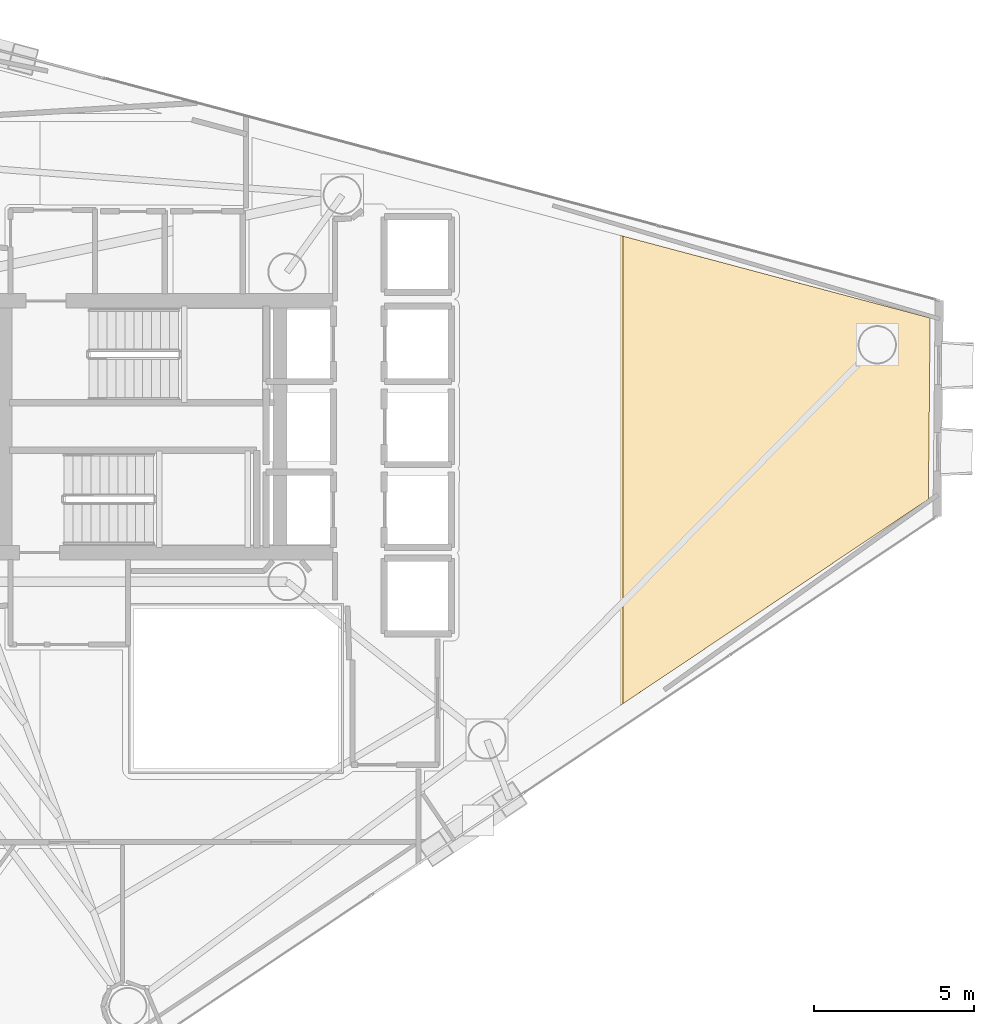
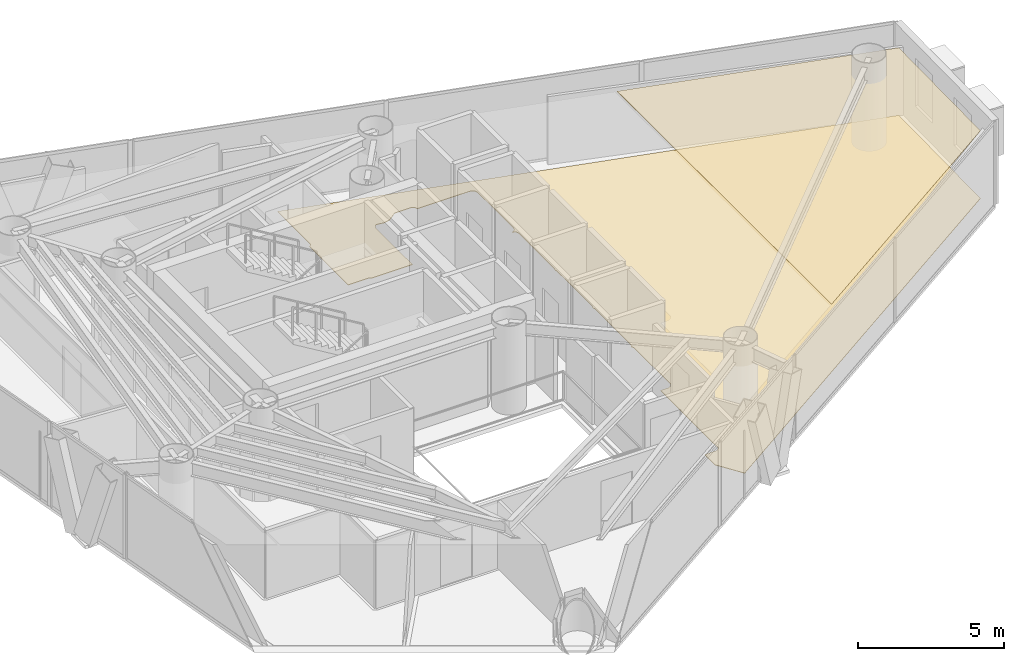
# One storey, part 21 of 21: 2 coverings.
"""IFC4 building model written with IfcOpenShell, lengths in metres."""

from ifc_helpers import new_model, si_unit, direction, frame, origin, place, context, subcontext, project, spatial, polyline, outline, extrude, material, layer, layer_set, type_object, element, save


model = new_model("IFC4")

# Units and contexts
model_context = context("Model", 3, precision=1e-05, world=origin(), true_north=direction((0.0, 1.0)))
body_context = subcontext(model_context, "Body", "Model", "MODEL_VIEW")
ifc_project = project(units=[si_unit("LENGTHUNIT", "METRE"), si_unit("AREAUNIT", "SQUARE_METRE"), si_unit("VOLUMEUNIT", "CUBIC_METRE"), si_unit("PLANEANGLEUNIT", "RADIAN"), si_unit("MASSUNIT", "GRAM", prefix="KILO")], contexts=[model_context])

# Site, building, storey
site_placement = place(None, origin())
site = spatial("IfcSite", under=ifc_project, at=site_placement, CompositionType="ELEMENT")
building_placement = place(site_placement, origin())
building = spatial("IfcBuilding", under=site, at=building_placement, Name="Qianvela Tower", CompositionType="ELEMENT")
storey_placement = place(building_placement, frame((0.0, 0.0, 189.199951171875)))
storey = spatial("IfcBuildingStorey", under=building, at=storey_placement, Name="L48", CompositionType="ELEMENT", Elevation=189.199951171875)

# Coverings
ifc_material_1 = material(Name="Perforated Mineral Acoustic Ceiling Tile")
ifc_layer_1 = layer(ifc_material_1, 0.02490234375)
ifc_layer_set_1 = layer_set([ifc_layer_1], Name="Perforated Mineral Acoustic Ceiling Tile")
covering_type_1 = type_object("IfcCoveringType", Name="COV-CEIL-ACOUSTIC-25", PredefinedType="CEILING", material=ifc_layer_set_1)
covering_1_placement = place(storey_placement, frame((0.0, 0.0, 2.81494140625)))
element("IfcCovering", 1, at=covering_1_placement, inside=storey, type_object=covering_type_1, Name="L48 Acoustic Ceiling Bay 2 Student Bookshop Market L48-04", PredefinedType="CEILING", context=body_context, shape_type="SweptSolid", body=[
    extrude(outline(polyline([(58.55615234375, 32.109375), (58.49853515625, 26.42919921875), (48.925048828125, 20.022216796875), (48.925048828125, 34.67431640625), (58.55615234375, 32.109375)])), origin(), (0.0, 0.0, 1.0), 0.025146484375),
])
ifc_material_2 = material(Name="Engineered Acoustic Oak Timber Flooring", Category="wood")
ifc_layer_2 = layer(ifc_material_2, 0.02001953125)
ifc_layer_set_2 = layer_set([ifc_layer_2], Name="Engineered Acoustic Oak Timber Flooring")
covering_type_2 = type_object("IfcCoveringType", Name="COV-FLOOR-OAK-20", PredefinedType="FLOORING", material=ifc_layer_set_2)
covering_2_placement = place(storey_placement, origin())
element("IfcCovering", 2, at=covering_2_placement, inside=storey, type_object=covering_type_2, Name="L48 Finish Flooring Student Bookshop Market L48-04", PredefinedType="FLOORING", context=body_context, shape_type="SweptSolid", body=[
    extrude(outline(polyline([(43.640380859375, 32.699951171875), (43.722412109375, 32.739013671875), (43.729248046875, 32.74267578125), (43.73583984375, 32.746826171875), (43.741943359375, 32.751953125), (43.74755859375, 32.757568359375), (43.75244140625, 32.763427734375), (43.7568359375, 32.77001953125), (43.760498046875, 32.777099609375), (43.763427734375, 32.7841796875), (43.79541015625, 32.873046875), (43.7978515625, 32.8818359375), (43.799560546875, 32.890869140625), (43.800048828125, 32.89990234375), (43.800048828125, 35.300048828125), (43.799560546875, 35.30908203125), (43.7978515625, 35.318115234375), (43.79541015625, 35.326904296875), (43.763427734375, 35.415771484375), (43.760498046875, 35.423095703125), (43.7568359375, 35.429931640625), (43.75244140625, 35.4365234375), (43.74755859375, 35.4423828125), (43.741943359375, 35.447998046875), (43.73583984375, 35.453125), (43.729248046875, 35.45751953125), (43.722412109375, 35.461181640625), (43.6142578125, 35.51220703125), (43.607666015625, 35.51513671875), (43.60107421875, 35.51708984375), (43.593994140625, 35.518798828125), (43.587158203125, 35.519775390625), (43.580078125, 35.52001953125), (41.515625, 35.52001953125), (41.513916015625, 35.554931640625), (41.512939453125, 35.563232421875), (41.51123046875, 35.5712890625), (41.508544921875, 35.5791015625), (41.50537109375, 35.5869140625), (41.501220703125, 35.593994140625), (41.496337890625, 35.6005859375), (41.49072265625, 35.60693359375), (41.484619140625, 35.612548828125), (41.426513671875, 35.660400390625), (41.420166015625, 35.6650390625), (41.413330078125, 35.6689453125), (41.40625, 35.67236328125), (41.39892578125, 35.675048828125), (41.391357421875, 35.677001953125), (41.383544921875, 35.677978515625), (41.375732421875, 35.678466796875), (40.750244140625, 35.679931640625), (40.742919921875, 35.6796875), (40.7353515625, 35.6787109375), (40.728271484375, 35.677001953125), (40.72119140625, 35.674560546875), (40.71435546875, 35.671630859375), (40.7080078125, 35.668212890625), (40.701904296875, 35.663818359375), (40.361083984375, 35.406982421875), (40.127685546875, 35.360595703125), (39.859375, 35.396484375), (39.85107421875, 35.397216796875), (39.843017578125, 35.397216796875), (39.8349609375, 35.396240234375), (39.826904296875, 35.394287109375), (39.819091796875, 35.391845703125), (39.811767578125, 35.388427734375), (39.8046875, 35.38427734375), (39.798095703125, 35.37939453125), (39.7919921875, 35.3740234375), (39.78662109375, 35.367919921875), (39.78173828125, 35.361328125), (39.733154296875, 35.287841796875), (39.729248046875, 35.28125), (39.72607421875, 35.274169921875), (39.723388671875, 35.266845703125), (39.721435546875, 35.25927734375), (39.720458984375, 35.25146484375), (39.719970703125, 35.243896484375), (39.719970703125, 32.719970703125), (38.126953125, 32.719970703125), (38.051025390625, 32.760009765625), (38.0439453125, 32.763427734375), (38.03662109375, 32.765869140625), (38.029296875, 32.767822265625), (38.021484375, 32.768798828125), (38.013916015625, 32.769287109375), (37.2099609375, 32.77001953125), (37.2099609375, 35.41796875), (37.220458984375, 35.420654296875), (37.227783203125, 35.4228515625), (37.235107421875, 35.42578125), (37.241943359375, 35.4296875), (37.248291015625, 35.433837890625), (37.25439453125, 35.43896484375), (37.260009765625, 35.4443359375), (37.264892578125, 35.450439453125), (37.269287109375, 35.456787109375), (37.27294921875, 35.4638671875), (37.30224609375, 35.525634765625), (37.304931640625, 35.5322265625), (37.30712890625, 35.5390625), (37.30859375, 35.5458984375), (37.309814453125, 35.552978515625), (37.31005859375, 35.56005859375), (37.31005859375, 37.767822265625), (58.55615234375, 32.109375), (58.49853515625, 26.42919921875), (43.334716796875, 16.280517578125), (42.7099609375, 17.207763671875), (42.70751953125, 17.920166015625), (43.157958984375, 17.92041015625), (43.166259765625, 17.9208984375), (43.174560546875, 17.922119140625), (43.1826171875, 17.92431640625), (43.1904296875, 17.927490234375), (43.197998046875, 17.93115234375), (43.205078125, 17.935791015625), (43.211669921875, 17.941162109375), (43.2822265625, 18.005126953125), (43.2880859375, 18.010986328125), (43.293212890625, 18.017578125), (43.2978515625, 18.0244140625), (43.301513671875, 18.031982421875), (43.3046875, 18.039794921875), (43.306640625, 18.0478515625), (43.30810546875, 18.055908203125), (43.30859375, 18.064453125), (43.309326171875, 21.980712890625), (43.60791015625, 21.982666015625), (43.615478515625, 21.983154296875), (43.623291015625, 21.984375), (43.630859375, 21.986083984375), (43.637939453125, 21.98876953125), (43.64501953125, 21.9921875), (43.716796875, 22.030517578125), (43.723388671875, 22.034423828125), (43.729736328125, 22.039306640625), (43.735595703125, 22.04443359375), (43.74072265625, 22.05029296875), (43.74560546875, 22.056640625), (43.74951171875, 22.063232421875), (43.787841796875, 22.135009765625), (43.791259765625, 22.14208984375), (43.7939453125, 22.1494140625), (43.7958984375, 22.156982421875), (43.796875, 22.164794921875), (43.79736328125, 22.172607421875), (43.79736328125, 24.627197265625), (43.797119140625, 24.634521484375), (43.7958984375, 24.6416015625), (43.79443359375, 24.648681640625), (43.792236328125, 24.655517578125), (43.789306640625, 24.662109375), (43.785888671875, 24.66845703125), (43.7373046875, 24.749267578125), (43.735595703125, 24.752197265625), (43.771240234375, 24.795654296875), (43.77587890625, 24.802001953125), (43.77978515625, 24.80859375), (43.783203125, 24.815673828125), (43.785888671875, 24.822998046875), (43.787841796875, 24.83056640625), (43.788818359375, 24.83837890625), (43.789306640625, 24.84619140625), (43.800048828125, 27.2998046875), (43.799560546875, 27.3076171875), (43.798583984375, 27.315673828125), (43.79638671875, 27.323486328125), (43.793701171875, 27.3310546875), (43.7646484375, 27.39990234375), (43.793701171875, 27.468994140625), (43.79638671875, 27.476318359375), (43.79833984375, 27.484130859375), (43.799560546875, 27.491943359375), (43.800048828125, 27.5), (43.800048828125, 29.89990234375), (43.799560546875, 29.907958984375), (43.79833984375, 29.915771484375), (43.79638671875, 29.923583984375), (43.793701171875, 29.93115234375), (43.7646484375, 30.0), (43.793701171875, 30.06884765625), (43.79638671875, 30.076416015625), (43.79833984375, 30.084228515625), (43.799560546875, 30.092041015625), (43.800048828125, 30.10009765625), (43.800048828125, 32.5), (43.799560546875, 32.509033203125), (43.7978515625, 32.518310546875), (43.79541015625, 32.527099609375), (43.763427734375, 32.61572265625), (43.760498046875, 32.623046875), (43.7568359375, 32.6298828125), (43.75244140625, 32.636474609375), (43.74755859375, 32.642578125), (43.741943359375, 32.648193359375), (43.73583984375, 32.653076171875), (43.729248046875, 32.657470703125), (43.722412109375, 32.6611328125), (43.640380859375, 32.699951171875)])), origin(), (0.0, 0.0, 1.0), 0.02001953125),
])

save(model, "model.ifc")
